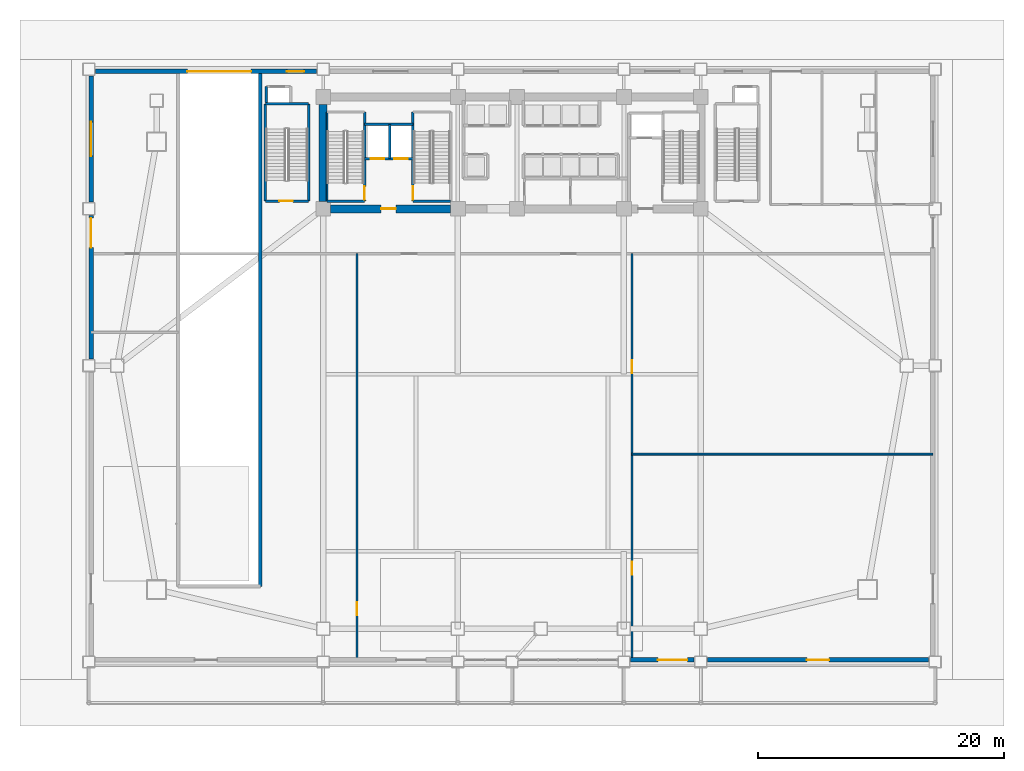
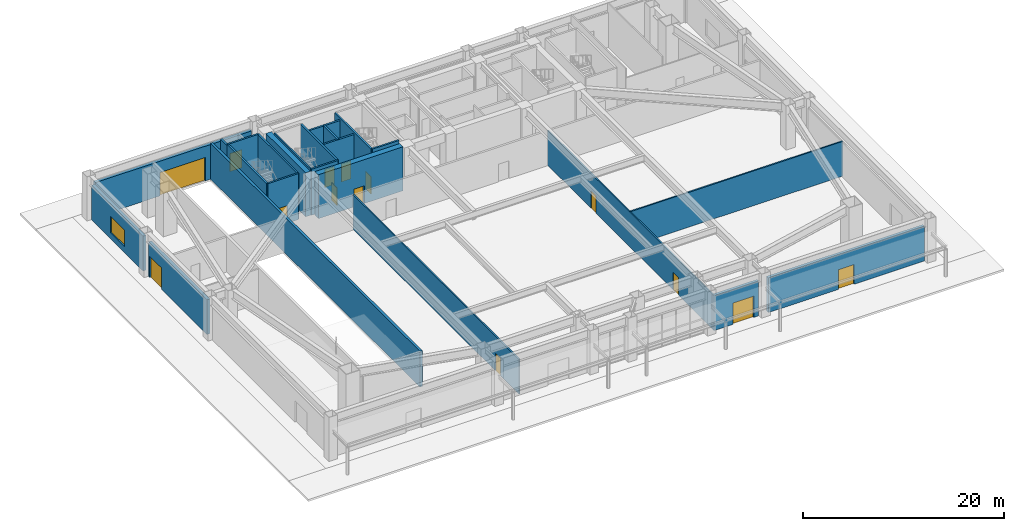
# One storey, part 9 of 18: 24 walls, 14 doors, 1 window, 15 openings.
"""IFC4 building model written with IfcOpenShell, lengths in metres."""

from ifc_helpers import new_model, si_unit, direction, frame, frame_2d, origin, place, context, subcontext, project, spatial, rectangle, extrude, source, transform, mapped, material, layer, layer_set, type_object, element, fill, save


model = new_model("IFC4")

# Units and contexts
model_context = context("Model", 3, precision=1e-05, world=origin(), true_north=direction((0.0, 1.0)))
body_context = subcontext(model_context, "Body", "Model", "MODEL_VIEW")
ifc_project = project(units=[si_unit("LENGTHUNIT", "METRE"), si_unit("AREAUNIT", "SQUARE_METRE"), si_unit("VOLUMEUNIT", "CUBIC_METRE"), si_unit("PLANEANGLEUNIT", "RADIAN"), si_unit("MASSUNIT", "GRAM", prefix="KILO")], contexts=[model_context])

# Site, building, storey
site_placement = place(None, origin())
site = spatial("IfcSite", under=ifc_project, at=site_placement, CompositionType="ELEMENT")
building_placement = place(site_placement, origin())
building = spatial("IfcBuilding", under=site, at=building_placement, Name="Giltprow Tower", CompositionType="ELEMENT")
storey_placement = place(building_placement, origin())
storey = spatial("IfcBuildingStorey", under=building, at=storey_placement, Name="L01", CompositionType="ELEMENT", Elevation=0.0)

# Wall, opening, door
ifc_material_1 = material(Name="Precast concrete C40", Category="concrete")
ifc_layer_1 = layer(ifc_material_1, 0.360107421875, Name="Precast concrete C40")
ifc_layer_set_1 = layer_set([ifc_layer_1], Name="Precast concrete C40")
wall_type_1 = type_object("IfcWallType", Name="EW-POD-STONE-360", PredefinedType="SOLIDWALL", material=ifc_layer_set_1)
wall_1_placement = place(storey_placement, frame((44.85009765625, 0.780029296875, 0.0), z_axis=(0.0, 0.0, 1.0), x_axis=(1.0, 0.0, 0.0)))
wall_1 = element("IfcWall", 1, at=wall_1_placement, inside=storey, type_object=wall_type_1, Name="L01 South Podium Masonry Wall 5", PredefinedType="SOLIDWALL", context=body_context, shape_type="SweptSolid", body=[
    extrude(rectangle(XDim=5.14990234375, YDim=0.360107421875, at=frame_2d((2.574951171875, 0.0))), origin(), (0.0, 0.0, 1.0), 4.219970703125),
])
opening_1_placement = place(wall_1_placement, frame((2.199951171875, 0.0, 0.0)))
opening_1 = element("IfcOpeningElement", 2, at=opening_1_placement, cuts=wall_1, Name="Opening ED29", PredefinedType="OPENING", context=body_context, shape_type="SweptSolid", body=[
    extrude(rectangle(XDim=2.39990234375, YDim=2.60009765625, at=frame_2d((1.199951171875, 1.300048828125))), frame((0.0, 0.18994140625, 0.0), z_axis=(0.0, -1.0, 0.0), x_axis=(1.0, 0.0, 0.0)), (0.0, 0.0, 1.0), 0.380126953125),
])
ifc_material_2 = material(Name="Anodized bronze and glass", Category="glass")
door_type_1 = type_object("IfcDoorType", Name="DR-EXT-LOBBY-2400", OperationType="DOUBLE_SWING_LEFT", PredefinedType="DOOR", material=ifc_material_2)
shared_shape_1 = source(origin(), body_context, "Body", "SweptSolid", [
    extrude(rectangle(XDim=2.39990234375, YDim=2.60009765625, at=frame_2d((1.199951171875, 1.300048828125))), frame((0.0, 0.02490234375, 0.0), z_axis=(0.0, -1.0, 0.0), x_axis=(1.0, 0.0, 0.0)), (0.0, 0.0, 1.0), 0.050048828125),
])
door_1_placement = place(opening_1_placement, frame((2.39990234375, 0.0, 0.0), z_axis=(0.0, 0.0, 1.0), x_axis=(-1.0, 0.0, 0.0)))
door_1 = element("IfcDoor", 3, at=door_1_placement, inside=storey, type_object=door_type_1, Name="L01 Waterfront Entrance Door S-5", OperationType="DOUBLE_SWING_LEFT", OverallHeight=2.60009765625, OverallWidth=2.39990234375, PredefinedType="DOOR", context=body_context, shape_type="MappedRepresentation", body=[
    mapped(shared_shape_1, transform((0.0, 0.0, 0.0), x_axis=(1.0, 0.0, 0.0), y_axis=(0.0, 1.0, 0.0), z_axis=(0.0, 0.0, 1.0), scale=1.0)),
])
fill(opening_1, door_1)

wall_2_placement = place(storey_placement, frame((51.10009765625, 0.780029296875, 0.0), z_axis=(0.0, 0.0, 1.0), x_axis=(1.0, 0.0, 0.0)))
wall_2 = element("IfcWall", 4, at=wall_2_placement, inside=storey, type_object=wall_type_1, Name="L01 South Podium Masonry Wall 6", PredefinedType="SOLIDWALL", context=body_context, shape_type="SweptSolid", body=[
    extrude(rectangle(XDim=17.949951171875, YDim=0.360107421875, at=frame_2d((8.97509765625, 0.0))), origin(), (0.0, 0.0, 1.0), 4.219970703125),
])
opening_2_placement = place(wall_2_placement, frame((8.074951171875, 0.0, 0.0)))
opening_2 = element("IfcOpeningElement", 5, at=opening_2_placement, cuts=wall_2, Name="Opening ED23", PredefinedType="OPENING", context=body_context, shape_type="SweptSolid", body=[
    extrude(rectangle(XDim=1.800048828125, YDim=2.39990234375, at=frame_2d((0.89990234375, 1.199951171875))), frame((0.0, 0.18994140625, 0.0), z_axis=(0.0, -1.0, 0.0), x_axis=(1.0, 0.0, 0.0)), (0.0, 0.0, 1.0), 0.380126953125),
])
door_type_2 = type_object("IfcDoorType", Name="DR-EXT-RETAIL-1800", OperationType="DOUBLE_SWING_RIGHT", PredefinedType="DOOR", material=ifc_material_2)
shared_shape_2 = source(origin(), body_context, "Body", "SweptSolid", [
    extrude(rectangle(XDim=1.800048828125, YDim=2.39990234375, at=frame_2d((0.89990234375, 1.199951171875))), frame((0.0, 0.02490234375, 0.0), z_axis=(0.0, -1.0, 0.0), x_axis=(1.0, 0.0, 0.0)), (0.0, 0.0, 1.0), 0.050048828125),
])
door_2_placement = place(opening_2_placement, frame((1.800048828125, 0.0, 0.0), z_axis=(0.0, 0.0, 1.0), x_axis=(-1.0, 0.0, 0.0)))
door_2 = element("IfcDoor", 6, at=door_2_placement, inside=storey, type_object=door_type_2, Name="L01 Waterfront Entrance Door S-6", OperationType="DOUBLE_SWING_RIGHT", OverallHeight=2.39990234375, OverallWidth=1.800048828125, PredefinedType="DOOR", context=body_context, shape_type="MappedRepresentation", body=[
    mapped(shared_shape_2, transform((0.0, 0.0, 0.0), x_axis=(1.0, 0.0, 0.0), y_axis=(0.0, 1.0, 0.0), z_axis=(0.0, 0.0, 1.0), scale=1.0)),
])
fill(opening_2, door_2)

# Wall, openings, doors
wall_3_placement = place(storey_placement, frame((1.35009765625, 48.6201171875, 0.0), z_axis=(0.0, 0.0, 1.0), x_axis=(1.0, 0.0, 0.0)))
wall_3 = element("IfcWall", 7, at=wall_3_placement, inside=storey, type_object=wall_type_1, Name="L01 North Podium Masonry Wall 1", PredefinedType="SOLIDWALL", context=body_context, shape_type="SweptSolid", body=[
    extrude(rectangle(XDim=17.949951171875, YDim=0.360107421875, at=frame_2d((8.97509765625, 0.0))), origin(), (0.0, 0.0, 1.0), 4.219970703125),
])
opening_3_placement = place(wall_3_placement, frame((7.449951171875, 0.0, 0.0)))
opening_3 = element("IfcOpeningElement", 8, at=opening_3_placement, cuts=wall_3, Name="Opening VG-01", PredefinedType="OPENING", context=body_context, shape_type="SweptSolid", body=[
    extrude(rectangle(XDim=5.199951171875, YDim=2.85009765625, at=frame_2d((2.60009765625, 1.425048828125))), frame((0.0, 0.18994140625, 0.0), z_axis=(0.0, -1.0, 0.0), x_axis=(1.0, 0.0, 0.0)), (0.0, 0.0, 1.0), 0.380126953125),
])
opening_4_placement = place(wall_3_placement, frame((15.550048828125, 0.0, 0.0)))
opening_4 = element("IfcOpeningElement", 9, at=opening_4_placement, cuts=wall_3, Name="Opening ED33", PredefinedType="OPENING", context=body_context, shape_type="SweptSolid", body=[
    extrude(rectangle(XDim=1.39990234375, YDim=2.199951171875, at=frame_2d((0.699951171875, 1.10009765625))), frame((0.0, 0.18994140625, 0.0), z_axis=(0.0, -1.0, 0.0), x_axis=(1.0, 0.0, 0.0)), (0.0, 0.0, 1.0), 0.380126953125),
])
ifc_material_3 = material(Name="Anodized bronze", Category="metal")
door_type_3 = type_object("IfcDoorType", Name="DR-VEH-GATE-5200", OperationType="ROLLINGUP", PredefinedType="GATE", material=ifc_material_3)
shared_shape_3 = source(origin(), body_context, "Body", "SweptSolid", [
    extrude(rectangle(XDim=5.199951171875, YDim=2.85009765625, at=frame_2d((2.60009765625, 1.425048828125))), frame((0.0, 0.02490234375, 0.0), z_axis=(0.0, -1.0, 0.0), x_axis=(1.0, 0.0, 0.0)), (0.0, 0.0, 1.0), 0.050048828125),
])
door_3_placement = place(opening_3_placement, origin())
door_3 = element("IfcDoor", 10, at=door_3_placement, inside=storey, type_object=door_type_3, Name="L01 Car Park Vehicle Exit Gate VG-01", OperationType="ROLLINGUP", OverallHeight=2.85009765625, OverallWidth=5.199951171875, PredefinedType="GATE", context=body_context, shape_type="MappedRepresentation", body=[
    mapped(shared_shape_3, transform((0.0, 0.0, 0.0), x_axis=(1.0, 0.0, 0.0), y_axis=(0.0, 1.0, 0.0), z_axis=(0.0, 0.0, 1.0), scale=1.0)),
])
fill(opening_3, door_3)
ifc_material_4 = material(Name="Steel fire leaf", Category="steel")
door_type_4 = type_object("IfcDoorType", Name="DR-EXT-EXIT-1400", OperationType="SINGLE_SWING_LEFT", PredefinedType="DOOR", material=ifc_material_4)
shared_shape_4 = source(origin(), body_context, "Body", "SweptSolid", [
    extrude(rectangle(XDim=1.39990234375, YDim=2.199951171875, at=frame_2d((0.699951171875, 1.10009765625))), frame((0.0, 0.02490234375, 0.0), z_axis=(0.0, -1.0, 0.0), x_axis=(1.0, 0.0, 0.0)), (0.0, 0.0, 1.0), 0.050048828125),
])
door_4_placement = place(opening_4_placement, origin())
door_4 = element("IfcDoor", 11, at=door_4_placement, inside=storey, type_object=door_type_4, Name="L01 West Stair Final Exit Door", OperationType="SINGLE_SWING_LEFT", OverallHeight=2.199951171875, OverallWidth=1.39990234375, PredefinedType="DOOR", context=body_context, shape_type="MappedRepresentation", body=[
    mapped(shared_shape_4, transform((0.0, 0.0, 0.0), x_axis=(1.0, 0.0, 0.0), y_axis=(0.0, 1.0, 0.0), z_axis=(0.0, 0.0, 1.0), scale=1.0)),
])
fill(opening_4, door_4)

# Wall, opening, door
wall_4_placement = place(storey_placement, frame((0.97998046875, 25.25, 0.0), z_axis=(0.0, 0.0, 1.0), x_axis=(0.0, 1.0, 0.0)))
wall_4 = element("IfcWall", 12, at=wall_4_placement, inside=storey, type_object=wall_type_1, Name="L01 W Podium Masonry Wall 2", PredefinedType="SOLIDWALL", context=body_context, shape_type="SweptSolid", body=[
    extrude(rectangle(XDim=11.64990234375, YDim=0.360107421875, at=frame_2d((5.824951171875, 0.0))), origin(), (0.0, 0.0, 1.0), 4.219970703125),
])
opening_5_placement = place(wall_4_placement, frame((9.050048828125, 0.0, 0.0)))
opening_5 = element("IfcOpeningElement", 13, at=opening_5_placement, cuts=wall_4, Name="Opening ED29", PredefinedType="OPENING", context=body_context, shape_type="SweptSolid", body=[
    extrude(rectangle(XDim=2.39990234375, YDim=2.60009765625, at=frame_2d((1.199951171875, 1.300048828125))), frame((0.0, 0.18994140625, 0.0), z_axis=(0.0, -1.0, 0.0), x_axis=(1.0, 0.0, 0.0)), (0.0, 0.0, 1.0), 0.380126953125),
])
door_5_placement = place(opening_5_placement, origin())
door_5 = element("IfcDoor", 14, at=door_5_placement, inside=storey, type_object=door_type_1, Name="L01 W Protected Exit Corridor Final Exit Door 2", OperationType="DOUBLE_SWING_LEFT", OverallHeight=2.60009765625, OverallWidth=2.39990234375, PredefinedType="DOOR", context=body_context, shape_type="MappedRepresentation", body=[
    mapped(shared_shape_1, transform((0.0, 0.0, 0.0), x_axis=(1.0, 0.0, 0.0), y_axis=(0.0, 1.0, 0.0), z_axis=(0.0, 0.0, 1.0), scale=1.0)),
])
fill(opening_5, door_5)

# Wall, opening, window
wall_5_placement = place(storey_placement, frame((0.97998046875, 38.0, 0.0), z_axis=(0.0, 0.0, 1.0), x_axis=(0.0, 1.0, 0.0)))
wall_5 = element("IfcWall", 15, at=wall_5_placement, inside=storey, type_object=wall_type_1, Name="L01 W Podium Masonry Wall 3", PredefinedType="SOLIDWALL", context=body_context, shape_type="SweptSolid", body=[
    extrude(rectangle(XDim=10.25, YDim=0.360107421875, at=frame_2d((5.125, 0.0))), origin(), (0.0, 0.0, 1.0), 4.219970703125),
])
opening_6_placement = place(wall_5_placement, frame((3.72509765625, 0.0, 0.719970703125)))
opening_6 = element("IfcOpeningElement", 16, at=opening_6_placement, cuts=wall_5, Name="Opening WN31", PredefinedType="OPENING", context=body_context, shape_type="SweptSolid", body=[
    extrude(rectangle(XDim=2.800048828125, YDim=2.0, at=frame_2d((1.39990234375, 1.0))), frame((0.0, 0.18994140625, 0.0), z_axis=(0.0, -1.0, 0.0), x_axis=(1.0, 0.0, 0.0)), (0.0, 0.0, 1.0), 0.380126953125),
])
ifc_material_5 = material(Name="Insulated glass", Category="glass")
window_type = type_object("IfcWindowType", Name="WN-POD-2800x2000", PartitioningType="SINGLE_PANEL", PredefinedType="WINDOW", material=ifc_material_5)
shared_shape_5 = source(origin(), body_context, "Body", "SweptSolid", [
    extrude(rectangle(XDim=2.800048828125, YDim=2.0, at=frame_2d((1.39990234375, 1.0))), frame((0.0, 0.030029296875, 0.0), z_axis=(0.0, -1.0, 0.0), x_axis=(1.0, 0.0, 0.0)), (0.0, 0.0, 1.0), 0.06005859375),
])
window_placement = place(opening_6_placement, origin())
window = element("IfcWindow", 17, at=window_placement, inside=storey, type_object=window_type, Name="L01 Podium W Window 3", OverallHeight=2.0, OverallWidth=2.800048828125, PartitioningType="SINGLE_PANEL", PredefinedType="WINDOW", context=body_context, shape_type="MappedRepresentation", body=[
    mapped(shared_shape_5, transform((0.0, 0.0, 0.0), x_axis=(1.0, 0.0, 0.0), y_axis=(0.0, 1.0, 0.0), z_axis=(0.0, 0.0, 1.0), scale=1.0)),
])
fill(opening_6, window)

# Wall, opening, door
ifc_material_6 = material(Name="Gypsum stud partition", Category="gypsum")
ifc_layer_2 = layer(ifc_material_6, 0.14990234375, Name="Gypsum stud partition")
ifc_layer_set_2 = layer_set([ifc_layer_2], Name="Gypsum stud partition")
wall_type_2 = type_object("IfcWallType", Name="IW-CORR-150", PredefinedType="PARTITIONING", material=ifc_layer_set_2)
wall_6_placement = place(storey_placement, frame((22.60009765625, 0.780029296875, 0.0), z_axis=(0.0, 0.0, 1.0), x_axis=(0.0, 1.0, 0.0)))
wall_6 = element("IfcWall", 18, at=wall_6_placement, inside=storey, type_object=wall_type_2, Name="L01 West Concourse Demising Wall", PredefinedType="PARTITIONING", context=body_context, shape_type="SweptSolid", body=[
    extrude(rectangle(XDim=33.02001953125, YDim=0.14990234375, at=frame_2d((16.510009765625, 0.0))), origin(), (0.0, 0.0, 1.0), 4.22509765625),
])
opening_7_placement = place(wall_6_placement, frame((3.6201171875, 0.0, 0.0)))
opening_7 = element("IfcOpeningElement", 19, at=opening_7_placement, cuts=wall_6, Name="Opening ID31", PredefinedType="OPENING", context=body_context, shape_type="SweptSolid", body=[
    extrude(rectangle(XDim=1.050048828125, YDim=2.14990234375, at=frame_2d((0.52490234375, 1.074951171875))), frame((0.0, 0.0849609375, 0.0), z_axis=(0.0, -1.0, 0.0), x_axis=(1.0, 0.0, 0.0)), (0.0, 0.0, 1.0), 0.169921875),
])
ifc_material_7 = material(Name="Engineered timber", Category="wood")
door_type_5 = type_object("IfcDoorType", Name="DR-SUITE-1050", OperationType="SINGLE_SWING_LEFT", PredefinedType="DOOR", material=ifc_material_7)
shared_shape_6 = source(origin(), body_context, "Body", "SweptSolid", [
    extrude(rectangle(XDim=1.050048828125, YDim=2.14990234375, at=frame_2d((0.52490234375, 1.074951171875))), frame((0.0, 0.02490234375, 0.0), z_axis=(0.0, -1.0, 0.0), x_axis=(1.0, 0.0, 0.0)), (0.0, 0.0, 1.0), 0.050048828125),
])
door_6_placement = place(opening_7_placement, origin())
door_6 = element("IfcDoor", 20, at=door_6_placement, inside=storey, type_object=door_type_5, Name="L01 Waterfront Flagship Retail Hall Door", OperationType="SINGLE_SWING_RIGHT", OverallHeight=2.14990234375, OverallWidth=1.050048828125, PredefinedType="DOOR", context=body_context, shape_type="MappedRepresentation", body=[
    mapped(shared_shape_6, transform((0.0, 0.0, 0.0), x_axis=(1.0, 0.0, 0.0), y_axis=(0.0, 1.0, 0.0), z_axis=(0.0, 0.0, 1.0), scale=1.0)),
])
fill(opening_7, door_6)

# Wall, openings, doors
wall_7_placement = place(storey_placement, frame((44.949951171875, 0.780029296875, 0.0), z_axis=(0.0, 0.0, 1.0), x_axis=(0.0, 1.0, 0.0)))
wall_7 = element("IfcWall", 21, at=wall_7_placement, inside=storey, type_object=wall_type_2, Name="L01 East Concourse Demising Wall", PredefinedType="PARTITIONING", context=body_context, shape_type="SweptSolid", body=[
    extrude(rectangle(XDim=33.02001953125, YDim=0.14990234375, at=frame_2d((16.510009765625, 0.0))), origin(), (0.0, 0.0, 1.0), 4.22509765625),
])
opening_8_placement = place(wall_7_placement, frame((6.919921875, 0.0, 0.0)))
opening_8 = element("IfcOpeningElement", 22, at=opening_8_placement, cuts=wall_7, Name="Opening ID31", PredefinedType="OPENING", context=body_context, shape_type="SweptSolid", body=[
    extrude(rectangle(XDim=1.050048828125, YDim=2.14990234375, at=frame_2d((0.52490234375, 1.074951171875))), frame((0.0, 0.0849609375, 0.0), z_axis=(0.0, -1.0, 0.0), x_axis=(1.0, 0.0, 0.0)), (0.0, 0.0, 1.0), 0.169921875),
])
opening_9_placement = place(wall_7_placement, frame((23.320068359375, 0.0, 0.0)))
opening_9 = element("IfcOpeningElement", 23, at=opening_9_placement, cuts=wall_7, Name="Opening ID31", PredefinedType="OPENING", context=body_context, shape_type="SweptSolid", body=[
    extrude(rectangle(XDim=1.050048828125, YDim=2.14990234375, at=frame_2d((0.52490234375, 1.074951171875))), frame((0.0, 0.0849609375, 0.0), z_axis=(0.0, -1.0, 0.0), x_axis=(1.0, 0.0, 0.0)), (0.0, 0.0, 1.0), 0.169921875),
])
door_7_placement = place(opening_8_placement, origin())
door_7 = element("IfcDoor", 24, at=door_7_placement, inside=storey, type_object=door_type_5, Name="L01 Waterfront Luxury Retail Boutique East Door", OperationType="SINGLE_SWING_RIGHT", OverallHeight=2.14990234375, OverallWidth=1.050048828125, PredefinedType="DOOR", context=body_context, shape_type="MappedRepresentation", body=[
    mapped(shared_shape_6, transform((0.0, 0.0, 0.0), x_axis=(1.0, 0.0, 0.0), y_axis=(0.0, 1.0, 0.0), z_axis=(0.0, 0.0, 1.0), scale=1.0)),
])
fill(opening_8, door_7)
door_8_placement = place(opening_9_placement, origin())
door_8 = element("IfcDoor", 25, at=door_8_placement, inside=storey, type_object=door_type_5, Name="L01 Loading Dock and Goods Receiving Hall Door", OperationType="SINGLE_SWING_LEFT", OverallHeight=2.14990234375, OverallWidth=1.050048828125, PredefinedType="DOOR", context=body_context, shape_type="MappedRepresentation", body=[
    mapped(shared_shape_6, transform((0.0, 0.0, 0.0), x_axis=(1.0, 0.0, 0.0), y_axis=(0.0, 1.0, 0.0), z_axis=(0.0, 0.0, 1.0), scale=1.0)),
])
fill(opening_9, door_8)

# Wall
ifc_layer_3 = layer(ifc_material_6, 0.159912109375, Name="Gypsum stud partition")
ifc_layer_set_3 = layer_set([ifc_layer_3], Name="Gypsum stud partition")
wall_type_3 = type_object("IfcWallType", Name="IW-DEMISE-160", PredefinedType="PARTITIONING", material=ifc_layer_set_3)
wall_8_placement = place(storey_placement, frame((44.949951171875, 17.5, 0.0), z_axis=(0.0, 0.0, 1.0), x_axis=(1.0, 0.0, 0.0)))
element("IfcWall", 26, at=wall_8_placement, inside=storey, type_object=wall_type_3, Name="L01 East Podium Hall Divider", PredefinedType="PARTITIONING", context=body_context, shape_type="SweptSolid", body=[
    extrude(rectangle(XDim=24.469970703125, YDim=0.159912109375, at=frame_2d((12.23486328125, 0.0))), origin(), (0.0, 0.0, 1.0), 4.22509765625),
])

# Wall, openings, doors
ifc_material_8 = material(Name="Concrete C40", Category="concrete")
ifc_layer_4 = layer(ifc_material_8, 0.219970703125, Name="Concrete C40")
ifc_layer_set_4 = layer_set([ifc_layer_4], Name="Concrete C40")
wall_type_4 = type_object("IfcWallType", Name="IW-SHAFT-220", PredefinedType="SOLIDWALL", material=ifc_layer_set_4)
wall_9_placement = place(storey_placement, frame((23.219970703125, 41.52001953125, 0.0), z_axis=(0.0, 0.0, 1.0), x_axis=(1.0, 0.0, 0.0)))
wall_9 = element("IfcWall", 27, at=wall_9_placement, inside=storey, type_object=wall_type_4, Name="L01 FFL1 and Service Lift Front Wall", PredefinedType="SOLIDWALL", context=body_context, shape_type="SweptSolid", body=[
    extrude(rectangle(XDim=3.919921875, YDim=0.219970703125, at=frame_2d((1.9599609375, 0.0))), origin(), (0.0, 0.0, 1.0), 5.340087890625),
])
opening_10_placement = place(wall_9_placement, frame((0.5, 0.0, 0.0)))
opening_10 = element("IfcOpeningElement", 28, at=opening_10_placement, cuts=wall_9, Name="Opening LD-11", PredefinedType="OPENING", context=body_context, shape_type="SweptSolid", body=[
    extrude(rectangle(XDim=1.10009765625, YDim=2.199951171875, at=frame_2d((0.550048828125, 1.10009765625))), frame((0.0, 0.119873046875, 0.0), z_axis=(0.0, -1.0, 0.0), x_axis=(1.0, 0.0, 0.0)), (0.0, 0.0, 1.0), 0.239990234375),
])
opening_11_placement = place(wall_9_placement, frame((2.39990234375, 0.0, 0.0)))
opening_11 = element("IfcOpeningElement", 29, at=opening_11_placement, cuts=wall_9, Name="Opening LD-11", PredefinedType="OPENING", context=body_context, shape_type="SweptSolid", body=[
    extrude(rectangle(XDim=1.10009765625, YDim=2.199951171875, at=frame_2d((0.550048828125, 1.10009765625))), frame((0.0, 0.119873046875, 0.0), z_axis=(0.0, -1.0, 0.0), x_axis=(1.0, 0.0, 0.0)), (0.0, 0.0, 1.0), 0.239990234375),
])
ifc_material_9 = material(Name="Stainless steel", Category="steel")
door_type_6 = type_object("IfcDoorType", Name="DR-LIFT-LD1100", OperationType="SLIDING_TO_LEFT", PredefinedType="DOOR", material=ifc_material_9)
shared_shape_7 = source(origin(), body_context, "Body", "SweptSolid", [
    extrude(rectangle(XDim=1.10009765625, YDim=2.199951171875, at=frame_2d((0.550048828125, 1.10009765625))), frame((0.0, 0.02490234375, 0.0), z_axis=(0.0, -1.0, 0.0), x_axis=(1.0, 0.0, 0.0)), (0.0, 0.0, 1.0), 0.050048828125),
])
door_9_placement = place(opening_10_placement, origin())
door_9 = element("IfcDoor", 30, at=door_9_placement, inside=storey, type_object=door_type_6, Name="L01 FFL1 Landing Door", OperationType="SLIDING_TO_LEFT", OverallHeight=2.199951171875, OverallWidth=1.10009765625, PredefinedType="DOOR", context=body_context, shape_type="MappedRepresentation", body=[
    mapped(shared_shape_7, transform((0.0, 0.0, 0.0), x_axis=(1.0, 0.0, 0.0), y_axis=(0.0, 1.0, 0.0), z_axis=(0.0, 0.0, 1.0), scale=1.0)),
])
fill(opening_10, door_9)
door_10_placement = place(opening_11_placement, origin())
door_10 = element("IfcDoor", 31, at=door_10_placement, inside=storey, type_object=door_type_6, Name="L01 SVL1 Landing Door", OperationType="SLIDING_TO_LEFT", OverallHeight=2.199951171875, OverallWidth=1.10009765625, PredefinedType="DOOR", context=body_context, shape_type="MappedRepresentation", body=[
    mapped(shared_shape_7, transform((0.0, 0.0, 0.0), x_axis=(1.0, 0.0, 0.0), y_axis=(0.0, 1.0, 0.0), z_axis=(0.0, 0.0, 1.0), scale=1.0)),
])
fill(opening_11, door_10)

# Walls
wall_10_placement = place(storey_placement, frame((25.260009765625, 41.52001953125, 0.0), z_axis=(0.0, 0.0, 1.0), x_axis=(0.0, 1.0, 0.0)))
element("IfcWall", 32, at=wall_10_placement, inside=storey, type_object=wall_type_4, Name="L01 FFL1-SVL1 Shaft Divider", PredefinedType="SOLIDWALL", context=body_context, shape_type="SweptSolid", body=[
    extrude(rectangle(XDim=2.800048828125, YDim=0.219970703125, at=frame_2d((1.39990234375, 0.0))), origin(), (0.0, 0.0, 1.0), 5.340087890625),
])
wall_11_placement = place(storey_placement, frame((23.219970703125, 44.320068359375, 0.0), z_axis=(0.0, 0.0, 1.0), x_axis=(1.0, 0.0, 0.0)))
element("IfcWall", 33, at=wall_11_placement, inside=storey, type_object=wall_type_4, Name="L01 FFL1-SVL1 Back Shaft Wall", PredefinedType="SOLIDWALL", context=body_context, shape_type="SweptSolid", body=[
    extrude(rectangle(XDim=3.919921875, YDim=0.219970703125, at=frame_2d((1.9599609375, 0.0))), origin(), (0.0, 0.0, 1.0), 5.340087890625),
])
wall_12_placement = place(storey_placement, frame((15.22998046875, 46.090087890625, 0.0), z_axis=(0.0, 0.0, 1.0), x_axis=(0.0, 1.0, 0.0)))
element("IfcWall", 34, at=wall_12_placement, inside=storey, type_object=wall_type_4, Name="L01 PL-P1 West Shaft Wall", PredefinedType="SOLIDWALL", context=body_context, shape_type="SweptSolid", body=[
    extrude(rectangle(XDim=1.289794921875, YDim=0.219970703125, at=frame_2d((0.64501953125, 0.0))), origin(), (0.0, 0.0, 1.0), 5.340087890625),
])
ifc_material_10 = material(Name="Concrete C45", Category="concrete")
ifc_layer_5 = layer(ifc_material_10, 0.139892578125, Name="Concrete C45")
ifc_layer_set_5 = layer_set([ifc_layer_5], Name="Concrete C45")
wall_type_5 = type_object("IfcWallType", Name="IW-STAIR-140", PredefinedType="SOLIDWALL", material=ifc_layer_set_5)
wall_13_placement = place(storey_placement, frame((20.169921875, 38.070068359375, 0.0), z_axis=(0.0, 0.0, 1.0), x_axis=(0.0, 1.0, 0.0)))
element("IfcWall", 35, at=wall_13_placement, inside=storey, type_object=wall_type_5, Name="L01 Stair ST-1 West Bearing Wall", PredefinedType="SOLIDWALL", context=body_context, shape_type="SweptSolid", body=[
    extrude(rectangle(XDim=7.25, YDim=0.139892578125, at=frame_2d((3.625, 0.0))), origin(), (0.0, 0.0, 1.0), 5.60009765625),
])

# Wall, opening, door
ifc_layer_6 = layer(ifc_material_8, 0.199951171875, Name="Concrete C40")
ifc_layer_set_6 = layer_set([ifc_layer_6], Name="Concrete C40")
wall_type_6 = type_object("IfcWallType", Name="IW-STAIR-200", PredefinedType="SOLIDWALL", material=ifc_layer_set_6)
wall_14_placement = place(storey_placement, frame((23.219970703125, 38.070068359375, 0.0), z_axis=(0.0, 0.0, 1.0), x_axis=(0.0, 1.0, 0.0)))
wall_14 = element("IfcWall", 36, at=wall_14_placement, inside=storey, type_object=wall_type_6, Name="L01 Stair ST-1 East Bearing Wall", PredefinedType="SOLIDWALL", context=body_context, shape_type="SweptSolid", body=[
    extrude(rectangle(XDim=7.25, YDim=0.199951171875, at=frame_2d((3.625, 0.0))), origin(), (0.0, 0.0, 1.0), 5.60009765625),
])
opening_12_placement = place(wall_14_placement, frame((0.110107421875, 0.0, 0.0)))
opening_12 = element("IfcOpeningElement", 37, at=opening_12_placement, cuts=wall_14, Name="Opening ID33", PredefinedType="OPENING", context=body_context, shape_type="SweptSolid", body=[
    extrude(rectangle(XDim=1.10009765625, YDim=2.14990234375, at=frame_2d((0.550048828125, 1.074951171875))), frame((0.0, 0.10986328125, 0.0), z_axis=(0.0, -1.0, 0.0), x_axis=(1.0, 0.0, 0.0)), (0.0, 0.0, 1.0), 0.219970703125),
])
door_type_7 = type_object("IfcDoorType", Name="DR-STAIR-1100", OperationType="SINGLE_SWING_LEFT", PredefinedType="DOOR", material=ifc_material_4)
shared_shape_8 = source(origin(), body_context, "Body", "SweptSolid", [
    extrude(rectangle(XDim=1.10009765625, YDim=2.14990234375, at=frame_2d((0.550048828125, 1.074951171875))), frame((0.0, 0.02490234375, 0.0), z_axis=(0.0, -1.0, 0.0), x_axis=(1.0, 0.0, 0.0)), (0.0, 0.0, 1.0), 0.050048828125),
])
door_11_placement = place(opening_12_placement, origin())
door_11 = element("IfcDoor", 38, at=door_11_placement, inside=storey, type_object=door_type_7, Name="L01 Stair ST-1 Fire Door", OperationType="SINGLE_SWING_LEFT", OverallHeight=2.14990234375, OverallWidth=1.10009765625, PredefinedType="DOOR", context=body_context, shape_type="MappedRepresentation", body=[
    mapped(shared_shape_8, transform((0.0, 0.0, 0.0), x_axis=(1.0, 0.0, 0.0), y_axis=(0.0, 1.0, 0.0), z_axis=(0.0, 0.0, 1.0), scale=1.0)),
])
fill(opening_12, door_11)

# Wall
wall_15_placement = place(storey_placement, frame((20.169921875, 38.070068359375, 0.0), z_axis=(0.0, 0.0, 1.0), x_axis=(1.0, 0.0, 0.0)))
element("IfcWall", 39, at=wall_15_placement, inside=storey, type_object=wall_type_6, Name="L01 Stair ST-1 South Bearing Wall", PredefinedType="SOLIDWALL", context=body_context, shape_type="SweptSolid", body=[
    extrude(rectangle(XDim=3.050048828125, YDim=0.199951171875, at=frame_2d((1.52490234375, 0.0))), origin(), (0.0, 0.0, 1.0), 5.60009765625),
])

# Wall, opening, door
wall_16_placement = place(storey_placement, frame((27.139892578125, 38.070068359375, 0.0), z_axis=(0.0, 0.0, 1.0), x_axis=(0.0, 1.0, 0.0)))
wall_16 = element("IfcWall", 40, at=wall_16_placement, inside=storey, type_object=wall_type_6, Name="L01 Stair ST-2 West Bearing Wall", PredefinedType="SOLIDWALL", context=body_context, shape_type="SweptSolid", body=[
    extrude(rectangle(XDim=7.25, YDim=0.199951171875, at=frame_2d((3.625, 0.0))), origin(), (0.0, 0.0, 1.0), 5.60009765625),
])
opening_13_placement = place(wall_16_placement, frame((0.110107421875, 0.0, 0.0)))
opening_13 = element("IfcOpeningElement", 41, at=opening_13_placement, cuts=wall_16, Name="Opening ID33", PredefinedType="OPENING", context=body_context, shape_type="SweptSolid", body=[
    extrude(rectangle(XDim=1.10009765625, YDim=2.14990234375, at=frame_2d((0.550048828125, 1.074951171875))), frame((0.0, 0.10986328125, 0.0), z_axis=(0.0, -1.0, 0.0), x_axis=(1.0, 0.0, 0.0)), (0.0, 0.0, 1.0), 0.219970703125),
])
door_12_placement = place(opening_13_placement, origin())
door_12 = element("IfcDoor", 42, at=door_12_placement, inside=storey, type_object=door_type_7, Name="L01 Stair ST-2 Fire Door", OperationType="SINGLE_SWING_RIGHT", OverallHeight=2.14990234375, OverallWidth=1.10009765625, PredefinedType="DOOR", context=body_context, shape_type="MappedRepresentation", body=[
    mapped(shared_shape_8, transform((0.0, 0.0, 0.0), x_axis=(1.0, 0.0, 0.0), y_axis=(0.0, 1.0, 0.0), z_axis=(0.0, 0.0, 1.0), scale=1.0)),
])
fill(opening_13, door_12)

# Walls
wall_17_placement = place(storey_placement, frame((27.139892578125, 38.070068359375, 0.0), z_axis=(0.0, 0.0, 1.0), x_axis=(1.0, 0.0, 0.0)))
element("IfcWall", 43, at=wall_17_placement, inside=storey, type_object=wall_type_6, Name="L01 Stair ST-2 South Bearing Wall", PredefinedType="SOLIDWALL", context=body_context, shape_type="SweptSolid", body=[
    extrude(rectangle(XDim=3.080078125, YDim=0.199951171875, at=frame_2d((1.5400390625, 0.0))), origin(), (0.0, 0.0, 1.0), 5.60009765625),
])
for number, where, z_axis, x_axis, name in (
    (44, (15.139892578125, 38.080078125, 0.0), (0.0, 0.0, 1.0), (0.0, 1.0, 0.0), "L01 Podium Stair ST-P1 West Bearing Wall"),
    (45, (18.659912109375, 38.080078125, 0.0), (0.0, 0.0, 1.0), (0.0, 1.0, 0.0), "L01 Podium Stair ST-P1 East Bearing Wall"),
):
    element("IfcWall", number, at=place(storey_placement, frame(where, z_axis=z_axis, x_axis=x_axis)), inside=storey, type_object=wall_type_6, Name=name, PredefinedType="SOLIDWALL", context=body_context, shape_type="SweptSolid", body=[
        extrude(rectangle(XDim=7.89990234375, YDim=0.199951171875, at=frame_2d((3.949951171875, 0.0))), origin(), (0.0, 0.0, 1.0), 5.60009765625),
    ])
wall_18_placement = place(storey_placement, frame((15.139892578125, 45.97998046875, 0.0), z_axis=(0.0, 0.0, 1.0), x_axis=(1.0, 0.0, 0.0)))
element("IfcWall", 46, at=wall_18_placement, inside=storey, type_object=wall_type_6, Name="L01 Podium Stair ST-P1 North Bearing Wall", PredefinedType="SOLIDWALL", context=body_context, shape_type="SweptSolid", body=[
    extrude(rectangle(XDim=3.52001953125, YDim=0.199951171875, at=frame_2d((1.760009765625, 0.0))), origin(), (0.0, 0.0, 1.0), 5.60009765625),
])

# Wall, opening, door
wall_19_placement = place(storey_placement, frame((15.139892578125, 38.080078125, 0.0), z_axis=(0.0, 0.0, 1.0), x_axis=(1.0, 0.0, 0.0)))
wall_19 = element("IfcWall", 47, at=wall_19_placement, inside=storey, type_object=wall_type_6, Name="L01 Podium Stair ST-P1 South Bearing Wall", PredefinedType="SOLIDWALL", context=body_context, shape_type="SweptSolid", body=[
    extrude(rectangle(XDim=3.52001953125, YDim=0.199951171875, at=frame_2d((1.760009765625, 0.0))), origin(), (0.0, 0.0, 1.0), 5.60009765625),
])
opening_14_placement = place(wall_19_placement, frame((1.14990234375, 0.0, 0.0)))
opening_14 = element("IfcOpeningElement", 48, at=opening_14_placement, cuts=wall_19, Name="Opening ID33", PredefinedType="OPENING", context=body_context, shape_type="SweptSolid", body=[
    extrude(rectangle(XDim=1.10009765625, YDim=2.14990234375, at=frame_2d((0.550048828125, 1.074951171875))), frame((0.0, 0.10986328125, 0.0), z_axis=(0.0, -1.0, 0.0), x_axis=(1.0, 0.0, 0.0)), (0.0, 0.0, 1.0), 0.219970703125),
])
door_13_placement = place(opening_14_placement, origin())
door_13 = element("IfcDoor", 49, at=door_13_placement, inside=storey, type_object=door_type_7, Name="L01 Podium Stair ST-P1 Door", OperationType="SINGLE_SWING_RIGHT", OverallHeight=2.14990234375, OverallWidth=1.10009765625, PredefinedType="DOOR", context=body_context, shape_type="MappedRepresentation", body=[
    mapped(shared_shape_8, transform((0.0, 0.0, 0.0), x_axis=(1.0, 0.0, 0.0), y_axis=(0.0, 1.0, 0.0), z_axis=(0.0, 0.0, 1.0), scale=1.0)),
])
fill(opening_14, door_13)

ifc_material_11 = material(Name="Concrete C60", Category="concrete")
ifc_layer_7 = layer(ifc_material_11, 0.64990234375, Name="Concrete C60")
ifc_layer_set_7 = layer_set([ifc_layer_7], Name="Concrete C60")
wall_type_7 = type_object("IfcWallType", Name="SW-INT-650-C60", PredefinedType="SHEAR", material=ifc_layer_set_7)
wall_20_placement = place(storey_placement, frame((20.449951171875, 37.449951171875, 0.0), z_axis=(0.0, 0.0, 1.0), x_axis=(1.0, 0.0, 0.0)))
wall_20 = element("IfcWall", 50, at=wall_20_placement, inside=storey, type_object=wall_type_7, Name="L01 South Rear Core Shear Wall West", PredefinedType="SHEAR", context=body_context, shape_type="SweptSolid", body=[
    extrude(rectangle(XDim=9.75, YDim=0.64990234375, at=frame_2d((4.875, 0.0))), origin(), (0.0, 0.0, 1.0), 5.340087890625),
])
opening_15_placement = place(wall_20_placement, frame((4.10009765625, 0.0, 0.0)))
opening_15 = element("IfcOpeningElement", 51, at=opening_15_placement, cuts=wall_20, Name="Opening ID19", PredefinedType="OPENING", context=body_context, shape_type="SweptSolid", body=[
    extrude(rectangle(XDim=1.199951171875, YDim=2.14990234375, at=frame_2d((0.60009765625, 1.074951171875))), frame((0.0, 0.3349609375, 0.0), z_axis=(0.0, -1.0, 0.0), x_axis=(1.0, 0.0, 0.0)), (0.0, 0.0, 1.0), 0.669921875),
])
door_type_8 = type_object("IfcDoorType", Name="DR-FFLOBBY-1200", OperationType="SINGLE_SWING_RIGHT", PredefinedType="DOOR", material=ifc_material_4)
shared_shape_9 = source(origin(), body_context, "Body", "SweptSolid", [
    extrude(rectangle(XDim=1.199951171875, YDim=2.14990234375, at=frame_2d((0.60009765625, 1.074951171875))), frame((0.0, 0.02490234375, 0.0), z_axis=(0.0, -1.0, 0.0), x_axis=(1.0, 0.0, 0.0)), (0.0, 0.0, 1.0), 0.050048828125),
])
door_14_placement = place(opening_15_placement, origin())
door_14 = element("IfcDoor", 52, at=door_14_placement, inside=storey, type_object=door_type_8, Name="L01 West Firefighting Lobby Entry Door", OperationType="SINGLE_SWING_RIGHT", OverallHeight=2.14990234375, OverallWidth=1.199951171875, PredefinedType="DOOR", context=body_context, shape_type="MappedRepresentation", body=[
    mapped(shared_shape_9, transform((0.0, 0.0, 0.0), x_axis=(1.0, 0.0, 0.0), y_axis=(0.0, 1.0, 0.0), z_axis=(0.0, 0.0, 1.0), scale=1.0)),
])
fill(opening_15, door_14)

# Walls
wall_21_placement = place(storey_placement, frame((19.85009765625, 38.050048828125, 0.0), z_axis=(0.0, 0.0, 1.0), x_axis=(0.0, 1.0, 0.0)))
element("IfcWall", 53, at=wall_21_placement, inside=storey, type_object=wall_type_7, Name="L01 W Rear Core Shear Wall", PredefinedType="SHEAR", context=body_context, shape_type="SweptSolid", body=[
    extrude(rectangle(XDim=7.89990234375, YDim=0.64990234375, at=frame_2d((3.949951171875, 0.0))), origin(), (0.0, 0.0, 1.0), 5.340087890625),
])
ifc_layer_8 = layer(ifc_material_8, 0.280029296875, Name="Concrete C40")
ifc_layer_set_8 = layer_set([ifc_layer_8], Name="Concrete C40")
wall_type_8 = type_object("IfcWallType", Name="WL-RAMP-SHAFT-280", PredefinedType="SOLIDWALL", material=ifc_layer_set_8)
wall_22_placement = place(storey_placement, frame((14.739990234375, 6.760009765625, 0.0), z_axis=(0.0, 0.0, 1.0), x_axis=(0.0, 1.0, 0.0)))
element("IfcWall", 54, at=wall_22_placement, inside=storey, type_object=wall_type_8, Name="L01 West Ramp Bearing Wall E", PredefinedType="SOLIDWALL", context=body_context, shape_type="SweptSolid", body=[
    extrude(rectangle(XDim=41.699951171875, YDim=0.280029296875, at=frame_2d((20.85009765625, 0.0))), origin(), (0.0, 0.0, 1.0), 4.35009765625),
])

save(model, "model.ifc")
